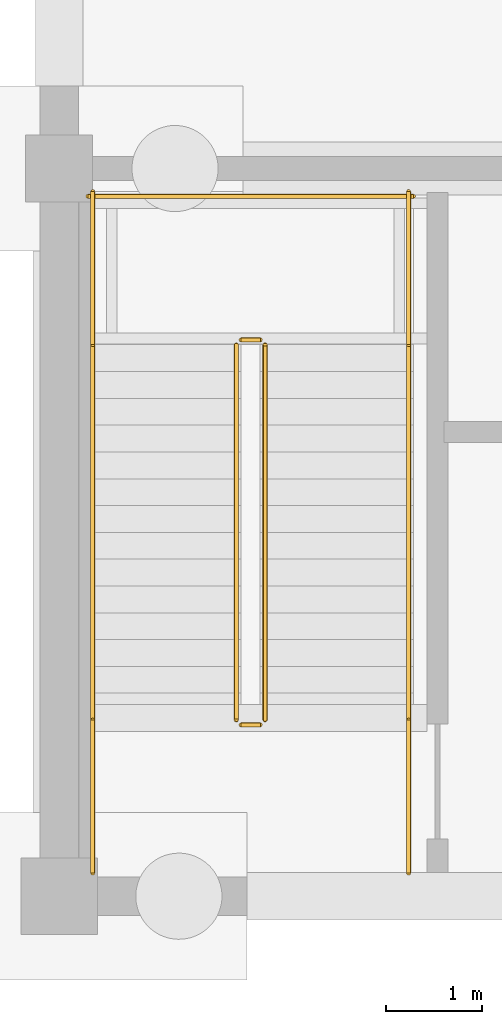
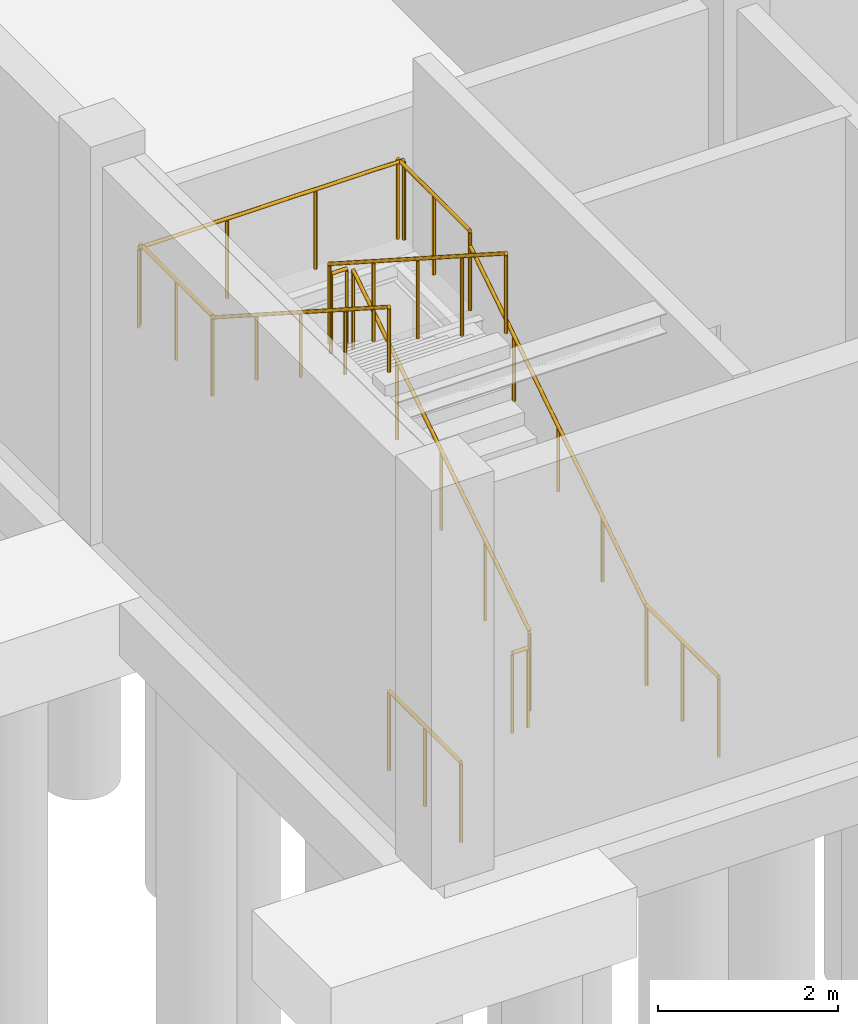
# One storey, part 35 of 44: 11 railings.
"""IFC4 building model written with IfcOpenShell, lengths in metres."""

import ifcopenshell
import ifcopenshell.guid

model = None  # the IFC model being written
_history = None  # IfcOwnerHistory: only IFC2X3 demands one
_inside = {}  # id of a spatial element -> (the spatial element, [elements in it])
_under = {}  # id of a project, library or spatial element -> (it, [spatial elements below it])
_declared = {}  # id of a project -> (the project, [libraries it declares])
_typed = {}  # id of a type object -> (the type object, [elements of that type])
_made_of = {}  # id of a material, layer set ... -> (it, [elements and type objects made of it])


def new_model(schema):
    """Start an empty IFC model of exactly this schema.

    Asked for "IFC4X3", IfcOpenShell would pick the latest addendum, in which some entities
    have other attributes; the version numbers below select the first issue.
    IFC2X3 requires an IfcOwnerHistory on every rooted entity: one is made here for all.
    """
    global model, _history
    if schema == "IFC4X3":
        model = ifcopenshell.file(schema_version=(4, 3, 0, 0))
    else:
        model = ifcopenshell.file(schema=schema)
    _inside.clear()
    _under.clear()
    _declared.clear()
    _typed.clear()
    _made_of.clear()
    _history = None
    if model.schema == "IFC2X3":
        org = make("IfcOrganization", Name="unknown")
        user = make(
            "IfcPersonAndOrganization",
            ThePerson=make("IfcPerson", FamilyName="unknown"),
            TheOrganization=org,
        )
        app = make(
            "IfcApplication",
            ApplicationDeveloper=org,
            Version="unknown",
            ApplicationFullName="unknown",
            ApplicationIdentifier="unknown",
        )
        _history = make(
            "IfcOwnerHistory",
            OwningUser=user,
            OwningApplication=app,
            ChangeAction="ADDED",
            CreationDate=0,
        )
    return model


def make(cls, **values):
    """One entity of the class cls with the attributes given. An attribute that is None is left unset."""
    return model.create_entity(
        cls, **{name: value for name, value in values.items() if value is not None}
    )


def rooted(cls, **values):
    """An entity with a GlobalId (a new one), such as an element, a storey or a relation."""
    return make(cls, GlobalId=ifcopenshell.guid.new(), OwnerHistory=_history, **values)


def si_unit(unit_type, name, prefix=None):
    """IfcSIUnit, for example si_unit("LENGTHUNIT", "METRE", prefix="MILLI")."""
    return make("IfcSIUnit", UnitType=unit_type, Prefix=prefix, Name=name)


def assignment(units):
    """IfcUnitAssignment: the units of a project."""
    return None if units is None else make("IfcUnitAssignment", Units=units)


def point(xyz):
    """IfcCartesianPoint."""
    return None if xyz is None else make("IfcCartesianPoint", Coordinates=xyz)


def direction(xyz):
    """IfcDirection."""
    return None if xyz is None else make("IfcDirection", DirectionRatios=xyz)


def frame(location, z_axis=None, x_axis=None):
    """IfcAxis2Placement3D, a coordinate frame: its origin and axes. An axis left out is left unset."""
    return make(
        "IfcAxis2Placement3D",
        Location=point(location),
        Axis=direction(z_axis),
        RefDirection=direction(x_axis),
    )


def frame_2d(location, x_axis=None):
    """IfcAxis2Placement2D, a coordinate frame in the plane: its origin and x axis."""
    return make(
        "IfcAxis2Placement2D", Location=point(location), RefDirection=direction(x_axis)
    )


def origin():
    """The frame at (0, 0, 0) with its axes left unset."""
    return frame((0.0, 0.0, 0.0))


def origin_2d():
    """The frame at (0, 0) in the plane with its x axis left unset."""
    return frame_2d((0.0, 0.0))


def place(relative_to, where):
    """IfcLocalPlacement: puts the frame where relative to a parent placement (None: the world)."""
    return make(
        "IfcLocalPlacement", PlacementRelTo=relative_to, RelativePlacement=where
    )


def context(
    kind, dimensions, precision=None, world=None, true_north=None, identifier=None
):
    """IfcGeometricRepresentationContext, for example the 3D "Model" context."""
    return make(
        "IfcGeometricRepresentationContext",
        ContextIdentifier=identifier,
        ContextType=kind,
        CoordinateSpaceDimension=dimensions,
        Precision=precision,
        WorldCoordinateSystem=world,
        TrueNorth=true_north,
    )


def subcontext(parent, identifier, kind, view, scale=None):
    """IfcGeometricRepresentationSubContext, for example "Body" below "Model"."""
    return make(
        "IfcGeometricRepresentationSubContext",
        ContextIdentifier=identifier,
        ContextType=kind,
        ParentContext=parent,
        TargetScale=scale,
        TargetView=view,
    )


def project(units=None, contexts=None):
    """IfcProject with its units and contexts."""
    return rooted(
        "IfcProject",
        Name="project",
        RepresentationContexts=contexts,
        UnitsInContext=assignment(units),
    )


def spatial(cls, under=None, at=None, **own):
    """A site, building, storey or space (cls), placed at a placement, below another one or the project."""
    s = rooted(cls, ObjectPlacement=at, **own)
    if under is not None:
        _under.setdefault(under.id(), (under, []))[1].append(s)
    return s


def profile(cls, at=None, kind="AREA", **sizes):
    """A parametric profile (cls). Its sizes go by their IFC names, for example OverallWidth=200.0."""
    return make(cls, ProfileType=kind, Position=at, **sizes)


def circle(**sizes):
    """IfcCircleProfileDef."""
    return profile("IfcCircleProfileDef", **sizes)


def extrude(swept, where, along, depth):
    """IfcExtrudedAreaSolid: the profile swept, set in the frame where, extruded along a direction by depth."""
    return make(
        "IfcExtrudedAreaSolid",
        SweptArea=swept,
        Position=where,
        ExtrudedDirection=direction(along),
        Depth=depth,
    )


def shape(context_of_items, identifier, shape_type, items):
    """IfcShapeRepresentation: the items that make up one representation, for example the "Body"."""
    return make(
        "IfcShapeRepresentation",
        ContextOfItems=context_of_items,
        RepresentationIdentifier=identifier,
        RepresentationType=shape_type,
        Items=items,
    )


def material(Name=None, Category=None):
    """IfcMaterial."""
    return make("IfcMaterial", Name=Name, Category=Category)


def made_of(thing, what):
    """Note that an element or type object is made of a material, layer set ...; save() writes the relation."""
    if what is not None:
        _made_of.setdefault(what.id(), (what, []))[1].append(thing)
    return thing


def type_object(cls, material=None, **own):
    """A type object (cls), such as IfcWallType, which elements share."""
    return made_of(rooted(cls, **own), material)


def element(
    cls,
    number,
    at=None,
    inside=None,
    cuts=None,
    type_object=None,
    material=None,
    context=None,
    identifier="Body",
    shape_type=None,
    held_by="IfcProductDefinitionShape",
    body=None,
    shapes=None,
    **own,
):
    """One element of the class cls, such as IfcWall. Its Tag is "e" and its number.

    at: its placement. inside: the storey or other place that contains it. cuts: it is an
    opening in that element (IfcRelVoidsElement). A single representation is given by context,
    identifier, shape_type and body (its items); several are given by shapes. held_by: the class
    of the entity that holds the representations. save() writes the other relations.
    """
    e = rooted(cls, Tag="e%d" % number, ObjectPlacement=at, **own)
    if body is not None:
        shapes = [shape(context, identifier, shape_type, body)]
    if shapes is not None:
        e.Representation = make(held_by, Representations=shapes)
    if inside is not None:
        _inside.setdefault(inside.id(), (inside, []))[1].append(e)
    if cuts is not None:
        rooted(
            "IfcRelVoidsElement", RelatingBuildingElement=cuts, RelatedOpeningElement=e
        )
    if type_object is not None:
        _typed.setdefault(type_object.id(), (type_object, []))[1].append(e)
    return made_of(e, material)


def aggregate(whole, parts):
    """IfcRelAggregates: a whole, such as a stair, and the parts it consists of."""
    return rooted("IfcRelAggregates", RelatingObject=whole, RelatedObjects=parts)


def save(model, path):
    """Write the relations noted so far, then the file.

    IfcRelAggregates (storeys below a building ...), IfcRelContainedInSpatialStructure (elements
    in a storey), IfcRelDefinesByType, IfcRelAssociatesMaterial and IfcRelDeclares: one each for
    every whole, place, type object, material and project.
    """
    for whole, parts in _under.values():
        aggregate(whole, parts)
    for where, things in _inside.values():
        rooted(
            "IfcRelContainedInSpatialStructure",
            RelatedElements=things,
            RelatingStructure=where,
        )
    for kind, things in _typed.values():
        rooted("IfcRelDefinesByType", RelatedObjects=things, RelatingType=kind)
    for what, things in _made_of.values():
        rooted("IfcRelAssociatesMaterial", RelatedObjects=things, RelatingMaterial=what)
    for by, libraries in _declared.values():
        rooted("IfcRelDeclares", RelatingContext=by, RelatedDefinitions=libraries)
    model.write(path)


model = new_model("IFC4")

# Units and contexts
model_context = context("Model", 3, precision=1e-05, world=origin(), true_north=direction((0.0, 1.0)))
body_context = subcontext(model_context, "Body", "Model", "MODEL_VIEW")
ifc_project = project(units=[si_unit("LENGTHUNIT", "METRE"), si_unit("AREAUNIT", "SQUARE_METRE"), si_unit("VOLUMEUNIT", "CUBIC_METRE"), si_unit("PLANEANGLEUNIT", "RADIAN"), si_unit("MASSUNIT", "GRAM", prefix="KILO")], contexts=[model_context])

# Site, building, storey
site_placement = place(None, origin())
site = spatial("IfcSite", under=ifc_project, at=site_placement, CompositionType="ELEMENT")
building_placement = place(site_placement, origin())
building = spatial("IfcBuilding", under=site, at=building_placement, Name="Khelvaren Railside Concert Hall", CompositionType="ELEMENT")
storey_placement = place(building_placement, frame((0.0, 0.0, -5.39990234375)))
storey = spatial("IfcBuildingStorey", under=building, at=storey_placement, Name="B1", CompositionType="ELEMENT", Elevation=-5.39990234375)

# Railings
ifc_material_1 = material(Name="Painted architectural steel", Category="steel")
railing_type_1 = type_object("IfcRailingType", Name="GRD86", PredefinedType="GUARDRAIL", material=ifc_material_1)
railing_1_placement = place(storey_placement, frame((2.14990234375, 1.840087890625, 0.179931640625)))
element("IfcRailing", 1, at=railing_1_placement, inside=storey, type_object=railing_type_1, Name="B1 ST-01 stair guard 1", PredefinedType="GUARDRAIL", context=body_context, shape_type="SweptSolid", body=[
    extrude(circle(Radius=0.02392578125, at=origin_2d()), frame((0.0, 0.0, 1.076171875), z_axis=(0.0, 0.841171666519, 0.540768182723), x_axis=(-1.0, 0.0, 0.0)), (0.0, 0.0, 1.0), 4.66015625),
    extrude(circle(Radius=0.02099609375, at=origin_2d()), origin(), (0.0, 0.0, 1.0), 1.052001953125),
    extrude(circle(Radius=0.02099609375, at=origin_2d()), frame((0.0, 0.97998046875, 0.6298828125)), (0.0, 0.0, 1.0), 1.052001953125),
    extrude(circle(Radius=0.02099609375, at=origin_2d()), frame((0.0, 1.9599609375, 1.260009765625)), (0.0, 0.0, 1.0), 1.052001953125),
    extrude(circle(Radius=0.02099609375, at=origin_2d()), frame((0.0, 2.93994140625, 1.89013671875)), (0.0, 0.0, 1.0), 1.052001953125),
    extrude(circle(Radius=0.02099609375, at=origin_2d()), frame((0.0, 3.919921875, 2.52001953125)), (0.0, 0.0, 1.0), 1.052001953125),
])
railing_2_placement = place(storey_placement, frame((2.10009765625, 5.81005859375, 2.699951171875)))
element("IfcRailing", 2, at=railing_2_placement, inside=storey, type_object=railing_type_1, Name="B1 ST-01 stair guard 2", PredefinedType="GUARDRAIL", context=body_context, shape_type="SweptSolid", body=[
    extrude(circle(Radius=0.02392578125, at=origin_2d()), frame((0.0, 0.0, 1.076171875), z_axis=(-1.0, 0.0, 0.0), x_axis=(0.0, -1.0, 0.0)), (0.0, 0.0, 1.0), 0.2001953125),
    extrude(circle(Radius=0.02099609375, at=origin_2d()), origin(), (0.0, 0.0, 1.0), 1.052001953125),
    extrude(circle(Radius=0.02099609375, at=origin_2d()), frame((-0.2001953125, 0.0, 0.0)), (0.0, 0.0, 1.0), 1.052001953125),
])
for number, where, name in (
    (3, (3.64990234375, 5.760009765625, 2.699951171875), "B1 ST-01 stair guard 3"),
    (4, (0.35009765625, 5.760009765625, 2.699951171875), "B1 ST-01 stair guard 4"),
):
    element("IfcRailing", number, at=place(storey_placement, frame(where)), inside=storey, type_object=railing_type_1, Name=name, PredefinedType="GUARDRAIL", context=body_context, shape_type="SweptSolid", body=[
        extrude(circle(Radius=0.02392578125, at=origin_2d()), frame((0.0, 0.0, 1.076171875), z_axis=(0.0, 1.0, 0.0), x_axis=(-1.0, 0.0, 0.0)), (0.0, 0.0, 1.0), 1.60009765625),
        extrude(circle(Radius=0.02099609375, at=origin_2d()), origin(), (0.0, 0.0, 1.0), 1.052001953125),
        extrude(circle(Radius=0.02099609375, at=origin_2d()), frame((0.0, 0.800048828125, 0.0)), (0.0, 0.0, 1.0), 1.052001953125),
        extrude(circle(Radius=0.02099609375, at=origin_2d()), frame((0.0, 1.60009765625, 0.0)), (0.0, 0.0, 1.0), 1.052001953125),
    ])
railing_3_placement = place(storey_placement, frame((3.699951171875, 7.31005859375, 2.699951171875)))
element("IfcRailing", 5, at=railing_3_placement, inside=storey, type_object=railing_type_1, Name="B1 ST-01 stair guard 5", PredefinedType="GUARDRAIL", context=body_context, shape_type="SweptSolid", body=[
    extrude(circle(Radius=0.02392578125, at=origin_2d()), frame((0.0, 0.0, 1.076171875), z_axis=(-1.0, 0.0, 0.0), x_axis=(0.0, -1.0, 0.0)), (0.0, 0.0, 1.0), 3.39990234375),
    extrude(circle(Radius=0.02099609375, at=origin_2d()), origin(), (0.0, 0.0, 1.0), 1.052001953125),
    extrude(circle(Radius=0.02099609375, at=origin_2d()), frame((-1.13330078125, 0.0, 0.0)), (0.0, 0.0, 1.0), 1.052001953125),
    extrude(circle(Radius=0.02099609375, at=origin_2d()), frame((-2.2666015625, 0.0, 0.0)), (0.0, 0.0, 1.0), 1.052001953125),
    extrude(circle(Radius=0.02099609375, at=origin_2d()), frame((-3.39990234375, 0.0, 0.0)), (0.0, 0.0, 1.0), 1.052001953125),
])
railing_4_placement = place(storey_placement, frame((1.85009765625, 5.760009765625, 2.8798828125)))
element("IfcRailing", 6, at=railing_4_placement, inside=storey, type_object=railing_type_1, Name="B1 ST-01 stair guard 6", PredefinedType="GUARDRAIL", context=body_context, shape_type="SweptSolid", body=[
    extrude(circle(Radius=0.02392578125, at=origin_2d()), frame((0.0, 0.0, 1.076171875), z_axis=(0.0, -0.841171666519, 0.540768182723), x_axis=(1.0, 0.0, 0.0)), (0.0, 0.0, 1.0), 4.66015625),
    extrude(circle(Radius=0.02099609375, at=origin_2d()), origin(), (0.0, 0.0, 1.0), 1.052001953125),
    extrude(circle(Radius=0.02099609375, at=origin_2d()), frame((0.0, -0.97998046875, 0.6298828125)), (0.0, 0.0, 1.0), 1.052001953125),
    extrude(circle(Radius=0.02099609375, at=origin_2d()), frame((0.0, -1.9599609375, 1.260009765625)), (0.0, 0.0, 1.0), 1.052001953125),
    extrude(circle(Radius=0.02099609375, at=origin_2d()), frame((0.0, -2.93994140625, 1.89013671875)), (0.0, 0.0, 1.0), 1.052001953125),
    extrude(circle(Radius=0.02099609375, at=origin_2d()), frame((0.0, -3.919921875, 2.52001953125)), (0.0, 0.0, 1.0), 1.052001953125),
])
railing_5_placement = place(storey_placement, frame((2.10009765625, 1.7900390625, 0.0)))
element("IfcRailing", 7, at=railing_5_placement, inside=storey, type_object=railing_type_1, Name="B1 ST-01 stair guard 7", PredefinedType="GUARDRAIL", context=body_context, shape_type="SweptSolid", body=[
    extrude(circle(Radius=0.02392578125, at=origin_2d()), frame((0.0, 0.0, 1.076171875), z_axis=(-1.0, 0.0, 0.0), x_axis=(0.0, -1.0, 0.0)), (0.0, 0.0, 1.0), 0.2001953125),
    extrude(circle(Radius=0.02099609375, at=origin_2d()), origin(), (0.0, 0.0, 1.0), 1.052001953125),
    extrude(circle(Radius=0.02099609375, at=origin_2d()), frame((-0.2001953125, 0.0, 0.0)), (0.0, 0.0, 1.0), 1.052001953125),
])
for number, where, name in (
    (8, (3.64990234375, 0.239990234375, 0.0), "B1 ST-01 stair guard 8"),
    (9, (0.35009765625, 0.239990234375, 0.0), "B1 ST-01 stair guard 9"),
):
    element("IfcRailing", number, at=place(storey_placement, frame(where)), inside=storey, type_object=railing_type_1, Name=name, PredefinedType="GUARDRAIL", context=body_context, shape_type="SweptSolid", body=[
        extrude(circle(Radius=0.02392578125, at=origin_2d()), frame((0.0, 0.0, 1.076171875), z_axis=(0.0, 1.0, 0.0), x_axis=(-1.0, 0.0, 0.0)), (0.0, 0.0, 1.0), 1.60009765625),
        extrude(circle(Radius=0.02099609375, at=origin_2d()), origin(), (0.0, 0.0, 1.0), 1.052001953125),
        extrude(circle(Radius=0.02099609375, at=origin_2d()), frame((0.0, 0.800048828125, 0.0)), (0.0, 0.0, 1.0), 1.052001953125),
        extrude(circle(Radius=0.02099609375, at=origin_2d()), frame((0.0, 1.60009765625, 0.0)), (0.0, 0.0, 1.0), 1.052001953125),
    ])
ifc_material_2 = material(Name="Brushed stainless steel Grade 316", Category="steel")
railing_type_2 = type_object("IfcRailingType", Name="HRL59", PredefinedType="HANDRAIL", material=ifc_material_2)
railing_6_placement = place(storey_placement, frame((3.64990234375, 1.840087890625, 0.179931640625)))
element("IfcRailing", 10, at=railing_6_placement, inside=storey, type_object=railing_type_2, Name="B1 ST-01 stair handrail 1", PredefinedType="HANDRAIL", context=body_context, shape_type="SweptSolid", body=[
    extrude(circle(Radius=0.02392578125, at=origin_2d()), frame((0.0, 0.0, 0.8759765625), z_axis=(0.0, 0.841171666519, 0.540768182723), x_axis=(-1.0, 0.0, 0.0)), (0.0, 0.0, 1.0), 4.66015625),
    extrude(circle(Radius=0.02099609375, at=origin_2d()), origin(), (0.0, 0.0, 1.0), 0.851806640625),
    extrude(circle(Radius=0.02099609375, at=origin_2d()), frame((0.0, 0.97998046875, 0.6298828125)), (0.0, 0.0, 1.0), 0.851806640625),
    extrude(circle(Radius=0.02099609375, at=origin_2d()), frame((0.0, 1.9599609375, 1.260009765625)), (0.0, 0.0, 1.0), 0.851806640625),
    extrude(circle(Radius=0.02099609375, at=origin_2d()), frame((0.0, 2.93994140625, 1.89013671875)), (0.0, 0.0, 1.0), 0.851806640625),
    extrude(circle(Radius=0.02099609375, at=origin_2d()), frame((0.0, 3.919921875, 2.52001953125)), (0.0, 0.0, 1.0), 0.851806640625),
])
railing_7_placement = place(storey_placement, frame((0.35009765625, 5.760009765625, 2.8798828125)))
element("IfcRailing", 11, at=railing_7_placement, inside=storey, type_object=railing_type_2, Name="B1 ST-01 stair handrail 2", PredefinedType="HANDRAIL", context=body_context, shape_type="SweptSolid", body=[
    extrude(circle(Radius=0.02392578125, at=origin_2d()), frame((0.0, 0.0, 0.8759765625), z_axis=(0.0, -0.841171666519, 0.540768182723), x_axis=(1.0, 0.0, 0.0)), (0.0, 0.0, 1.0), 4.66015625),
    extrude(circle(Radius=0.02099609375, at=origin_2d()), origin(), (0.0, 0.0, 1.0), 0.851806640625),
    extrude(circle(Radius=0.02099609375, at=origin_2d()), frame((0.0, -0.97998046875, 0.6298828125)), (0.0, 0.0, 1.0), 0.851806640625),
    extrude(circle(Radius=0.02099609375, at=origin_2d()), frame((0.0, -1.9599609375, 1.260009765625)), (0.0, 0.0, 1.0), 0.851806640625),
    extrude(circle(Radius=0.02099609375, at=origin_2d()), frame((0.0, -2.93994140625, 1.89013671875)), (0.0, 0.0, 1.0), 0.851806640625),
    extrude(circle(Radius=0.02099609375, at=origin_2d()), frame((0.0, -3.919921875, 2.52001953125)), (0.0, 0.0, 1.0), 0.851806640625),
])

save(model, "model.ifc")
